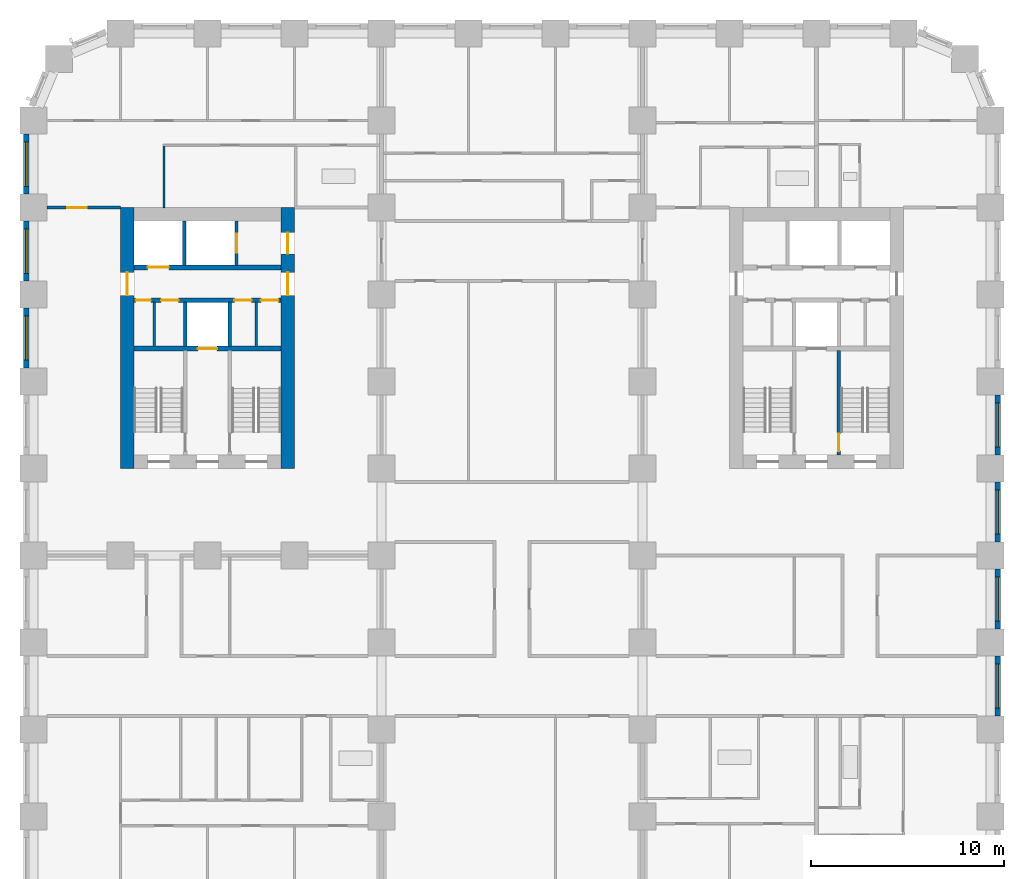
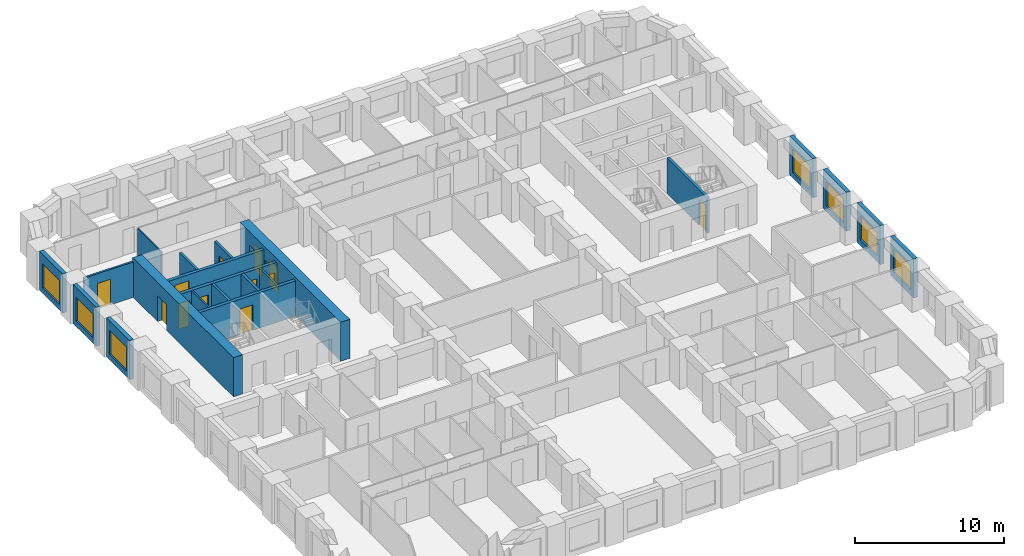
# One storey, part 6 of 13: 21 walls, 12 doors, 7 windows, 19 openings.
"""IFC4 building model written with IfcOpenShell, lengths in metres."""

from ifc_helpers import new_model, si_unit, direction, frame, frame_2d, origin, place, context, subcontext, project, spatial, rectangle, extrude, material, layer, layer_set, type_object, element, fill, save


model = new_model("IFC4")

# Units and contexts
model_context = context("Model", 3, precision=1e-05, world=origin(), true_north=direction((0.0, 1.0)))
body_context = subcontext(model_context, "Body", "Model", "MODEL_VIEW")
ifc_project = project(units=[si_unit("LENGTHUNIT", "METRE"), si_unit("AREAUNIT", "SQUARE_METRE"), si_unit("VOLUMEUNIT", "CUBIC_METRE"), si_unit("PLANEANGLEUNIT", "RADIAN"), si_unit("MASSUNIT", "GRAM", prefix="KILO")], contexts=[model_context])

# Site, building, storey
site_placement = place(None, origin())
site = spatial("IfcSite", under=ifc_project, at=site_placement, CompositionType="ELEMENT")
building_placement = place(site_placement, origin())
building = spatial("IfcBuilding", under=site, at=building_placement, Name="Girih Gate Residences", CompositionType="ELEMENT")
storey_placement = place(building_placement, frame((0.0, 0.0, 40.0)))
storey = spatial("IfcBuildingStorey", under=building, at=storey_placement, Name="L09", CompositionType="ELEMENT", Elevation=40.0)

# Wall, opening, door
ifc_material_1 = material(Name="Gypsum board on steel studs", Category="steel")
ifc_layer_1 = layer(ifc_material_1, 0.14990234375)
ifc_layer_set_1 = layer_set([ifc_layer_1], Name="Compartment wall 150 mm")
wall_type_1 = type_object("IfcWallType", Name="Compartment wall 150 mm", PredefinedType="PARTITIONING", material=ifc_layer_set_1)
wall_1_placement = place(storey_placement, frame((0.699951171875, 40.5, 0.0), z_axis=(0.0, 0.0, 1.0), x_axis=(1.0, 0.0, 0.0)))
wall_1 = element("IfcWall", 1, at=wall_1_placement, inside=storey, type_object=wall_type_1, Name="L09 partition", PredefinedType="PARTITIONING", context=body_context, shape_type="SweptSolid", body=[
    extrude(rectangle(XDim=3.800048828125, YDim=0.14990234375, at=frame_2d((1.89990234375, 0.0))), origin(), (0.0, 0.0, 1.0), 2.89990234375),
])
opening_1_placement = place(wall_1_placement, frame((1.050048828125, 0.0, 0.0)))
opening_1 = element("IfcOpeningElement", 2, at=opening_1_placement, cuts=wall_1, Name="Opening A09-017", PredefinedType="OPENING", context=body_context, shape_type="SweptSolid", body=[
    extrude(rectangle(XDim=1.0, YDim=2.10009765625, at=frame_2d((0.5, 1.050048828125))), frame((0.0, 0.0849609375, 0.0), z_axis=(0.0, -1.0, 0.0), x_axis=(1.0, 0.0, 0.0)), (0.0, 0.0, 1.0), 0.169921875),
])
ifc_material_2 = material(Name="Timber, fire-rated core", Category="wood")
door_type_1 = type_object("IfcDoorType", Name="Flat entrance door 1000x2100 FD30S", OperationType="NOTDEFINED", PredefinedType="DOOR", material=ifc_material_2)
door_1_placement = place(opening_1_placement, origin())
door_1 = element("IfcDoor", 3, at=door_1_placement, inside=storey, type_object=door_type_1, Name="Door A09-017", OperationType="SINGLE_SWING_LEFT", OverallHeight=2.10009765625, OverallWidth=1.0, PredefinedType="DOOR", context=body_context, shape_type="SweptSolid", body=[
    extrude(rectangle(XDim=1.0, YDim=2.10009765625, at=frame_2d((0.5, 1.050048828125))), frame((0.0, 0.02490234375, 0.0), z_axis=(0.0, -1.0, 0.0), x_axis=(1.0, 0.0, 0.0)), (0.0, 0.0, 1.0), 0.050048828125),
])
fill(opening_1, door_1)

ifc_material_3 = material(Name="Concrete C60/75", Category="concrete")
ifc_layer_2 = layer(ifc_material_3, 0.699951171875)
ifc_layer_set_2 = layer_set([ifc_layer_2], Name="Core wall RC 700 Concrete C60/75")
wall_type_2 = type_object("IfcWallType", Name="Core wall RC 700 Concrete C60/75", PredefinedType="SOLIDWALL", material=ifc_layer_set_2)
wall_2_placement = place(storey_placement, frame((4.85009765625, 27.0, 0.0), z_axis=(0.0, 0.0, 1.0), x_axis=(0.0, 1.0, 0.0)))
wall_2 = element("IfcWall", 4, at=wall_2_placement, inside=storey, type_object=wall_type_2, Name="Core wall W-W L09", PredefinedType="SOLIDWALL", context=body_context, shape_type="SweptSolid", body=[
    extrude(rectangle(XDim=13.5, YDim=0.699951171875, at=frame_2d((6.75, 0.0))), origin(), (0.0, 0.0, 1.0), 3.199951171875),
])
opening_2_placement = place(wall_2_placement, frame((8.949951171875, 0.0, 0.0)))
opening_2 = element("IfcOpeningElement", 5, at=opening_2_placement, cuts=wall_2, Name="Opening D-L09-W-014", PredefinedType="OPENING", context=body_context, shape_type="SweptSolid", body=[
    extrude(rectangle(XDim=1.199951171875, YDim=2.10009765625, at=frame_2d((0.60009765625, 1.050048828125))), frame((0.0, 0.35986328125, 0.0), z_axis=(0.0, -1.0, 0.0), x_axis=(1.0, 0.0, 0.0)), (0.0, 0.0, 1.0), 0.719970703125),
])
ifc_material_4 = material(Name="Painted steel, fire-resisting", Category="steel")
door_type_2 = type_object("IfcDoorType", Name="Fire door 1200x2100", OperationType="SINGLE_SWING_LEFT", PredefinedType="DOOR", material=ifc_material_4)
door_2_placement = place(opening_2_placement, origin())
door_2 = element("IfcDoor", 6, at=door_2_placement, inside=storey, type_object=door_type_2, Name="L09 W core door ll-w", OperationType="SINGLE_SWING_LEFT", OverallHeight=2.10009765625, OverallWidth=1.199951171875, PredefinedType="DOOR", context=body_context, shape_type="SweptSolid", body=[
    extrude(rectangle(XDim=1.199951171875, YDim=2.10009765625, at=frame_2d((0.60009765625, 1.050048828125))), frame((0.0, 0.02490234375, 0.0), z_axis=(0.0, -1.0, 0.0), x_axis=(1.0, 0.0, 0.0)), (0.0, 0.0, 1.0), 0.050048828125),
])
fill(opening_2, door_2)

# Wall, openings, doors
wall_3_placement = place(storey_placement, frame((13.14990234375, 27.0, 0.0), z_axis=(0.0, 0.0, 1.0), x_axis=(0.0, 1.0, 0.0)))
wall_3 = element("IfcWall", 7, at=wall_3_placement, inside=storey, type_object=wall_type_2, Name="Core wall W-E L09", PredefinedType="SOLIDWALL", context=body_context, shape_type="SweptSolid", body=[
    extrude(rectangle(XDim=13.5, YDim=0.699951171875, at=frame_2d((6.75, 0.0))), origin(), (0.0, 0.0, 1.0), 3.199951171875),
])
opening_3_placement = place(wall_3_placement, frame((11.10009765625, 0.0, 0.0)))
opening_3 = element("IfcOpeningElement", 8, at=opening_3_placement, cuts=wall_3, Name="Opening D-L09-W-013", PredefinedType="OPENING", context=body_context, shape_type="SweptSolid", body=[
    extrude(rectangle(XDim=1.10009765625, YDim=2.10009765625, at=frame_2d((0.550048828125, 1.050048828125))), frame((0.0, 0.35986328125, 0.0), z_axis=(0.0, -1.0, 0.0), x_axis=(1.0, 0.0, 0.0)), (0.0, 0.0, 1.0), 0.719970703125),
])
opening_4_placement = place(wall_3_placement, frame((8.949951171875, 0.0, 0.0)))
opening_4 = element("IfcOpeningElement", 9, at=opening_4_placement, cuts=wall_3, Name="Opening D-L09-W-015", PredefinedType="OPENING", context=body_context, shape_type="SweptSolid", body=[
    extrude(rectangle(XDim=1.199951171875, YDim=2.10009765625, at=frame_2d((0.60009765625, 1.050048828125))), frame((0.0, 0.35986328125, 0.0), z_axis=(0.0, -1.0, 0.0), x_axis=(1.0, 0.0, 0.0)), (0.0, 0.0, 1.0), 0.719970703125),
])
door_type_3 = type_object("IfcDoorType", Name="Fire door 1100x2100", OperationType="SINGLE_SWING_LEFT", PredefinedType="DOOR", material=ifc_material_4)
door_3_placement = place(opening_3_placement, origin())
door_3 = element("IfcDoor", 10, at=door_3_placement, inside=storey, type_object=door_type_3, Name="L09 W core door ffl2-e", OperationType="SINGLE_SWING_LEFT", OverallHeight=2.10009765625, OverallWidth=1.10009765625, PredefinedType="DOOR", context=body_context, shape_type="SweptSolid", body=[
    extrude(rectangle(XDim=1.10009765625, YDim=2.10009765625, at=frame_2d((0.550048828125, 1.050048828125))), frame((0.0, 0.02490234375, 0.0), z_axis=(0.0, -1.0, 0.0), x_axis=(1.0, 0.0, 0.0)), (0.0, 0.0, 1.0), 0.050048828125),
])
fill(opening_3, door_3)
door_4_placement = place(opening_4_placement, origin())
door_4 = element("IfcDoor", 11, at=door_4_placement, inside=storey, type_object=door_type_2, Name="L09 W core door ll-e", OperationType="SINGLE_SWING_LEFT", OverallHeight=2.10009765625, OverallWidth=1.199951171875, PredefinedType="DOOR", context=body_context, shape_type="SweptSolid", body=[
    extrude(rectangle(XDim=1.199951171875, YDim=2.10009765625, at=frame_2d((0.60009765625, 1.050048828125))), frame((0.0, 0.02490234375, 0.0), z_axis=(0.0, -1.0, 0.0), x_axis=(1.0, 0.0, 0.0)), (0.0, 0.0, 1.0), 0.050048828125),
])
fill(opening_4, door_4)

# Wall, opening, door
ifc_material_5 = material(Name="Concrete C40/50", Category="concrete")
ifc_layer_3 = layer(ifc_material_5, 0.25)
ifc_layer_set_3 = layer_set([ifc_layer_3], Name="Lift shaft wall 250")
wall_type_3 = type_object("IfcWallType", Name="Lift shaft wall 250", PredefinedType="SOLIDWALL", material=ifc_layer_set_3)
wall_4_placement = place(storey_placement, frame((5.199951171875, 33.199951171875, 0.0), z_axis=(0.0, 0.0, 1.0), x_axis=(1.0, 0.0, 0.0)))
wall_4 = element("IfcWall", 12, at=wall_4_placement, inside=storey, type_object=wall_type_3, Name="L09 W core wall H1", PredefinedType="SOLIDWALL", context=body_context, shape_type="SweptSolid", body=[
    extrude(rectangle(XDim=7.60009765625, YDim=0.25, at=frame_2d((3.800048828125, 0.0))), origin(), (0.0, 0.0, 1.0), 2.89990234375),
])
opening_5_placement = place(wall_4_placement, frame((3.300048828125, 0.0, 0.0)))
opening_5 = element("IfcOpeningElement", 13, at=opening_5_placement, cuts=wall_4, Name="Opening D-L09-W-005", PredefinedType="OPENING", context=body_context, shape_type="SweptSolid", body=[
    extrude(rectangle(XDim=1.0, YDim=2.10009765625, at=frame_2d((0.5, 1.050048828125))), frame((0.0, 0.135009765625, 0.0), z_axis=(0.0, -1.0, 0.0), x_axis=(1.0, 0.0, 0.0)), (0.0, 0.0, 1.0), 0.27001953125),
])
ifc_material_6 = material(Name="Stainless steel, fire-resisting", Category="steel")
door_type_4 = type_object("IfcDoorType", Name="Firefighting lift landing door 1000x2100", OperationType="SLIDING_TO_LEFT", PredefinedType="DOOR", material=ifc_material_6)
door_5_placement = place(opening_5_placement, origin())
door_5 = element("IfcDoor", 14, at=door_5_placement, inside=storey, type_object=door_type_4, Name="L09 lift FF-W landing door", OperationType="SLIDING_TO_LEFT", OverallHeight=2.10009765625, OverallWidth=1.0, PredefinedType="DOOR", context=body_context, shape_type="SweptSolid", body=[
    extrude(rectangle(XDim=1.0, YDim=2.10009765625, at=frame_2d((0.5, 1.050048828125))), frame((0.0, 0.02490234375, 0.0), z_axis=(0.0, -1.0, 0.0), x_axis=(1.0, 0.0, 0.0)), (0.0, 0.0, 1.0), 0.050048828125),
])
fill(opening_5, door_5)

# Wall, openings, doors
wall_5_placement = place(storey_placement, frame((5.199951171875, 35.699951171875, 0.0), z_axis=(0.0, 0.0, 1.0), x_axis=(1.0, 0.0, 0.0)))
wall_5 = element("IfcWall", 15, at=wall_5_placement, inside=storey, type_object=wall_type_3, Name="L09 W core wall H2", PredefinedType="SOLIDWALL", context=body_context, shape_type="SweptSolid", body=[
    extrude(rectangle(XDim=7.60009765625, YDim=0.25, at=frame_2d((3.800048828125, 0.0))), origin(), (0.0, 0.0, 1.0), 2.89990234375),
])
opening_6_placement = place(wall_5_placement, frame((0.074951171875, 0.0, 0.0)))
opening_6 = element("IfcOpeningElement", 16, at=opening_6_placement, cuts=wall_5, Name="Opening D-L09-W-006", PredefinedType="OPENING", context=body_context, shape_type="SweptSolid", body=[
    extrude(rectangle(XDim=0.800048828125, YDim=2.10009765625, at=frame_2d((0.39990234375, 1.050048828125))), frame((0.0, 0.135009765625, 0.0), z_axis=(0.0, -1.0, 0.0), x_axis=(1.0, 0.0, 0.0)), (0.0, 0.0, 1.0), 0.27001953125),
])
opening_7_placement = place(wall_5_placement, frame((1.39990234375, 0.0, 0.0)))
opening_7 = element("IfcOpeningElement", 17, at=opening_7_placement, cuts=wall_5, Name="Opening D-L09-W-007", PredefinedType="OPENING", context=body_context, shape_type="SweptSolid", body=[
    extrude(rectangle(XDim=0.89990234375, YDim=2.10009765625, at=frame_2d((0.449951171875, 1.050048828125))), frame((0.0, 0.135009765625, 0.0), z_axis=(0.0, -1.0, 0.0), x_axis=(1.0, 0.0, 0.0)), (0.0, 0.0, 1.0), 0.27001953125),
])
opening_8_placement = place(wall_5_placement, frame((5.1875, 0.0, 0.0)))
opening_8 = element("IfcOpeningElement", 18, at=opening_8_placement, cuts=wall_5, Name="Opening D-L09-W-008", PredefinedType="OPENING", context=body_context, shape_type="SweptSolid", body=[
    extrude(rectangle(XDim=0.89990234375, YDim=2.10009765625, at=frame_2d((0.449951171875, 1.050048828125))), frame((0.0, 0.135009765625, 0.0), z_axis=(0.0, -1.0, 0.0), x_axis=(1.0, 0.0, 0.0)), (0.0, 0.0, 1.0), 0.27001953125),
])
opening_9_placement = place(wall_5_placement, frame((6.5625, 0.0, 0.0)))
opening_9 = element("IfcOpeningElement", 19, at=opening_9_placement, cuts=wall_5, Name="Opening D-L09-W-009", PredefinedType="OPENING", context=body_context, shape_type="SweptSolid", body=[
    extrude(rectangle(XDim=0.89990234375, YDim=2.10009765625, at=frame_2d((0.449951171875, 1.050048828125))), frame((0.0, 0.135009765625, 0.0), z_axis=(0.0, -1.0, 0.0), x_axis=(1.0, 0.0, 0.0)), (0.0, 0.0, 1.0), 0.27001953125),
])
door_type_5 = type_object("IfcDoorType", Name="Fire door 800x2100", OperationType="SINGLE_SWING_LEFT", PredefinedType="DOOR", material=ifc_material_4)
door_6_placement = place(opening_6_placement, origin())
door_6 = element("IfcDoor", 20, at=door_6_placement, inside=storey, type_object=door_type_5, Name="L09 W refuse store door", OperationType="SINGLE_SWING_LEFT", OverallHeight=2.10009765625, OverallWidth=0.800048828125, PredefinedType="DOOR", context=body_context, shape_type="SweptSolid", body=[
    extrude(rectangle(XDim=0.800048828125, YDim=2.10009765625, at=frame_2d((0.39990234375, 1.050048828125))), frame((0.0, 0.02490234375, 0.0), z_axis=(0.0, -1.0, 0.0), x_axis=(1.0, 0.0, 0.0)), (0.0, 0.0, 1.0), 0.050048828125),
])
fill(opening_6, door_6)
door_type_6 = type_object("IfcDoorType", Name="Fire door 900x2100", OperationType="SINGLE_SWING_LEFT", PredefinedType="DOOR", material=ifc_material_4)
door_7_placement = place(opening_7_placement, origin())
door_7 = element("IfcDoor", 21, at=door_7_placement, inside=storey, type_object=door_type_6, Name="L09 W cleaners store door", OperationType="SINGLE_SWING_LEFT", OverallHeight=2.10009765625, OverallWidth=0.89990234375, PredefinedType="DOOR", context=body_context, shape_type="SweptSolid", body=[
    extrude(rectangle(XDim=0.89990234375, YDim=2.10009765625, at=frame_2d((0.449951171875, 1.050048828125))), frame((0.0, 0.02490234375, 0.0), z_axis=(0.0, -1.0, 0.0), x_axis=(1.0, 0.0, 0.0)), (0.0, 0.0, 1.0), 0.050048828125),
])
fill(opening_7, door_7)
door_8_placement = place(opening_8_placement, origin())
door_8 = element("IfcDoor", 22, at=door_8_placement, inside=storey, type_object=door_type_6, Name="L09 W maintenance store door", OperationType="SINGLE_SWING_LEFT", OverallHeight=2.10009765625, OverallWidth=0.89990234375, PredefinedType="DOOR", context=body_context, shape_type="SweptSolid", body=[
    extrude(rectangle(XDim=0.89990234375, YDim=2.10009765625, at=frame_2d((0.449951171875, 1.050048828125))), frame((0.0, 0.02490234375, 0.0), z_axis=(0.0, -1.0, 0.0), x_axis=(1.0, 0.0, 0.0)), (0.0, 0.0, 1.0), 0.050048828125),
])
fill(opening_8, door_8)
door_9_placement = place(opening_9_placement, origin())
door_9 = element("IfcDoor", 23, at=door_9_placement, inside=storey, type_object=door_type_6, Name="L09 W electrical room door", OperationType="SINGLE_SWING_LEFT", OverallHeight=2.10009765625, OverallWidth=0.89990234375, PredefinedType="DOOR", context=body_context, shape_type="SweptSolid", body=[
    extrude(rectangle(XDim=0.89990234375, YDim=2.10009765625, at=frame_2d((0.449951171875, 1.050048828125))), frame((0.0, 0.02490234375, 0.0), z_axis=(0.0, -1.0, 0.0), x_axis=(1.0, 0.0, 0.0)), (0.0, 0.0, 1.0), 0.050048828125),
])
fill(opening_9, door_9)

# Wall, opening, door
wall_6_placement = place(storey_placement, frame((5.199951171875, 37.39990234375, 0.0), z_axis=(0.0, 0.0, 1.0), x_axis=(1.0, 0.0, 0.0)))
wall_6 = element("IfcWall", 24, at=wall_6_placement, inside=storey, type_object=wall_type_3, Name="L09 W core wall H3", PredefinedType="SOLIDWALL", context=body_context, shape_type="SweptSolid", body=[
    extrude(rectangle(XDim=7.60009765625, YDim=0.25, at=frame_2d((3.800048828125, 0.0))), origin(), (0.0, 0.0, 1.0), 2.89990234375),
])
opening_10_placement = place(wall_6_placement, frame((0.699951171875, 0.0, 0.0)))
opening_10 = element("IfcOpeningElement", 25, at=opening_10_placement, cuts=wall_6, Name="Opening D-L09-W-003", PredefinedType="OPENING", context=body_context, shape_type="SweptSolid", body=[
    extrude(rectangle(XDim=1.10009765625, YDim=2.39990234375, at=frame_2d((0.550048828125, 1.199951171875))), frame((0.0, 0.135009765625, 0.0), z_axis=(0.0, -1.0, 0.0), x_axis=(1.0, 0.0, 0.0)), (0.0, 0.0, 1.0), 0.27001953125),
])
ifc_material_7 = material(Name="Stainless steel", Category="steel")
door_type_7 = type_object("IfcDoorType", Name="Lift landing door 1100x2400", OperationType="SLIDING_TO_LEFT", PredefinedType="DOOR", material=ifc_material_7)
door_10_placement = place(opening_10_placement, origin())
door_10 = element("IfcDoor", 26, at=door_10_placement, inside=storey, type_object=door_type_7, Name="L09 lift LR-W1 landing door", OperationType="SLIDING_TO_LEFT", OverallHeight=2.39990234375, OverallWidth=1.10009765625, PredefinedType="DOOR", context=body_context, shape_type="SweptSolid", body=[
    extrude(rectangle(XDim=1.10009765625, YDim=2.39990234375, at=frame_2d((0.550048828125, 1.199951171875))), frame((0.0, 0.02490234375, 0.0), z_axis=(0.0, -1.0, 0.0), x_axis=(1.0, 0.0, 0.0)), (0.0, 0.0, 1.0), 0.050048828125),
])
fill(opening_10, door_10)

# Wall
ifc_layer_4 = layer(ifc_material_1, 0.10009765625)
ifc_layer_set_4 = layer_set([ifc_layer_4], Name="Partition 100 mm")
wall_type_4 = type_object("IfcWallType", Name="Partition 100 mm", PredefinedType="PARTITIONING", material=ifc_layer_set_4)
wall_7_placement = place(storey_placement, frame((6.75, 40.5, 0.0), z_axis=(0.0, 0.0, 1.0), x_axis=(0.0, 1.0, 0.0)))
element("IfcWall", 27, at=wall_7_placement, inside=storey, type_object=wall_type_4, Name="L09 partition", PredefinedType="PARTITIONING", context=body_context, shape_type="SweptSolid", body=[
    extrude(rectangle(XDim=3.169921875, YDim=0.10009765625, at=frame_2d((1.5849609375, 0.0))), origin(), (0.0, 0.0, 1.0), 2.89990234375),
])

# Wall, opening, window
ifc_material_8 = material(Name="Precast concrete C50/60", Category="concrete")
ifc_layer_5 = layer(ifc_material_8, 0.080078125, Name="Outer leaf")
ifc_material_9 = material(Name="Rigid PIR insulation")
ifc_layer_6 = layer(ifc_material_9, 0.14990234375, Name="Insulation")
ifc_material_10 = material(Name="Precast concrete C40/50", Category="concrete")
ifc_layer_7 = layer(ifc_material_10, 0.070068359375, Name="Inner leaf")
ifc_layer_set_5 = layer_set([ifc_layer_5, ifc_layer_6, ifc_layer_7], Name="Precast concrete C50/60 external wall 300")
wall_type_5 = type_object("IfcWallType", Name="Precast concrete C50/60 external wall 300", PredefinedType="SOLIDWALL", material=ifc_layer_set_5)
wall_8_placement = place(storey_placement, frame((49.875, 17.300048828125, 0.0), z_axis=(0.0, 0.0, 1.0), x_axis=(0.0, -1.0, 0.0)))
wall_8 = element("IfcWall", 28, at=wall_8_placement, inside=storey, type_object=wall_type_5, Name="External wall E0495_0045.2", PredefinedType="SOLIDWALL", context=body_context, shape_type="SweptSolid", body=[
    extrude(rectangle(XDim=3.10009765625, YDim=0.300048828125, at=frame_2d((1.550048828125, 0.0))), origin(), (0.0, 0.0, 1.0), 3.199951171875),
])
opening_11_placement = place(wall_8_placement, frame((0.39990234375, 0.0, 0.449951171875)))
opening_11 = element("IfcOpeningElement", 29, at=opening_11_placement, cuts=wall_8, Name="Opening W-1", PredefinedType="OPENING", context=body_context, shape_type="SweptSolid", body=[
    extrude(rectangle(XDim=2.300048828125, YDim=1.949951171875, at=frame_2d((1.14990234375, 0.97509765625))), frame((0.0, 0.159912109375, 0.0), z_axis=(0.0, -1.0, 0.0), x_axis=(1.0, 0.0, 0.0)), (0.0, 0.0, 1.0), 0.320068359375),
])
ifc_material_11 = material(Name="Double glazing in aluminium frame", Category="aluminium")
window_type = type_object("IfcWindowType", Name="Window W-1 2300x1950", PartitioningType="SINGLE_PANEL", PredefinedType="WINDOW", material=ifc_material_11)
window_1_placement = place(opening_11_placement, origin())
window_1 = element("IfcWindow", 30, at=window_1_placement, inside=storey, type_object=window_type, Name="Window W-1 E0495_0045.2", OverallHeight=1.949951171875, OverallWidth=2.300048828125, PartitioningType="SINGLE_PANEL", PredefinedType="WINDOW", context=body_context, shape_type="SweptSolid", body=[
    extrude(rectangle(XDim=2.300048828125, YDim=1.949951171875, at=frame_2d((1.14990234375, 0.97509765625))), frame((0.0, 0.030029296875, 0.0), z_axis=(0.0, -1.0, 0.0), x_axis=(1.0, 0.0, 0.0)), (0.0, 0.0, 1.0), 0.06005859375),
])
fill(opening_11, window_1)

wall_9_placement = place(storey_placement, frame((49.875, 21.800048828125, 0.0), z_axis=(0.0, 0.0, 1.0), x_axis=(0.0, -1.0, 0.0)))
wall_9 = element("IfcWall", 31, at=wall_9_placement, inside=storey, type_object=wall_type_5, Name="External wall E0495_0045.3", PredefinedType="SOLIDWALL", context=body_context, shape_type="SweptSolid", body=[
    extrude(rectangle(XDim=3.10009765625, YDim=0.300048828125, at=frame_2d((1.550048828125, 0.0))), origin(), (0.0, 0.0, 1.0), 3.199951171875),
])
opening_12_placement = place(wall_9_placement, frame((0.39990234375, 0.0, 0.449951171875)))
opening_12 = element("IfcOpeningElement", 32, at=opening_12_placement, cuts=wall_9, Name="Opening W-1", PredefinedType="OPENING", context=body_context, shape_type="SweptSolid", body=[
    extrude(rectangle(XDim=2.300048828125, YDim=1.949951171875, at=frame_2d((1.14990234375, 0.97509765625))), frame((0.0, 0.159912109375, 0.0), z_axis=(0.0, -1.0, 0.0), x_axis=(1.0, 0.0, 0.0)), (0.0, 0.0, 1.0), 0.320068359375),
])
window_2_placement = place(opening_12_placement, origin())
window_2 = element("IfcWindow", 33, at=window_2_placement, inside=storey, type_object=window_type, Name="Window W-1 E0495_0045.3", OverallHeight=1.949951171875, OverallWidth=2.300048828125, PartitioningType="SINGLE_PANEL", PredefinedType="WINDOW", context=body_context, shape_type="SweptSolid", body=[
    extrude(rectangle(XDim=2.300048828125, YDim=1.949951171875, at=frame_2d((1.14990234375, 0.97509765625))), frame((0.0, 0.030029296875, 0.0), z_axis=(0.0, -1.0, 0.0), x_axis=(1.0, 0.0, 0.0)), (0.0, 0.0, 1.0), 0.06005859375),
])
fill(opening_12, window_2)

wall_10_placement = place(storey_placement, frame((49.875, 26.300048828125, 0.0), z_axis=(0.0, 0.0, 1.0), x_axis=(0.0, -1.0, 0.0)))
wall_10 = element("IfcWall", 34, at=wall_10_placement, inside=storey, type_object=wall_type_5, Name="External wall E0495_0045.4", PredefinedType="SOLIDWALL", context=body_context, shape_type="SweptSolid", body=[
    extrude(rectangle(XDim=3.10009765625, YDim=0.300048828125, at=frame_2d((1.550048828125, 0.0))), origin(), (0.0, 0.0, 1.0), 3.199951171875),
])
opening_13_placement = place(wall_10_placement, frame((0.39990234375, 0.0, 0.449951171875)))
opening_13 = element("IfcOpeningElement", 35, at=opening_13_placement, cuts=wall_10, Name="Opening W-1", PredefinedType="OPENING", context=body_context, shape_type="SweptSolid", body=[
    extrude(rectangle(XDim=2.300048828125, YDim=1.949951171875, at=frame_2d((1.14990234375, 0.97509765625))), frame((0.0, 0.159912109375, 0.0), z_axis=(0.0, -1.0, 0.0), x_axis=(1.0, 0.0, 0.0)), (0.0, 0.0, 1.0), 0.320068359375),
])
window_3_placement = place(opening_13_placement, origin())
window_3 = element("IfcWindow", 36, at=window_3_placement, inside=storey, type_object=window_type, Name="Window W-1 E0495_0045.4", OverallHeight=1.949951171875, OverallWidth=2.300048828125, PartitioningType="SINGLE_PANEL", PredefinedType="WINDOW", context=body_context, shape_type="SweptSolid", body=[
    extrude(rectangle(XDim=2.300048828125, YDim=1.949951171875, at=frame_2d((1.14990234375, 0.97509765625))), frame((0.0, 0.030029296875, 0.0), z_axis=(0.0, -1.0, 0.0), x_axis=(1.0, 0.0, 0.0)), (0.0, 0.0, 1.0), 0.06005859375),
])
fill(opening_13, window_3)

wall_11_placement = place(storey_placement, frame((49.875, 30.800048828125, 0.0), z_axis=(0.0, 0.0, 1.0), x_axis=(0.0, -1.0, 0.0)))
wall_11 = element("IfcWall", 37, at=wall_11_placement, inside=storey, type_object=wall_type_5, Name="External wall E0495_0045.5", PredefinedType="SOLIDWALL", context=body_context, shape_type="SweptSolid", body=[
    extrude(rectangle(XDim=3.10009765625, YDim=0.300048828125, at=frame_2d((1.550048828125, 0.0))), origin(), (0.0, 0.0, 1.0), 3.199951171875),
])
opening_14_placement = place(wall_11_placement, frame((0.39990234375, 0.0, 0.449951171875)))
opening_14 = element("IfcOpeningElement", 38, at=opening_14_placement, cuts=wall_11, Name="Opening W-1", PredefinedType="OPENING", context=body_context, shape_type="SweptSolid", body=[
    extrude(rectangle(XDim=2.300048828125, YDim=1.949951171875, at=frame_2d((1.14990234375, 0.97509765625))), frame((0.0, 0.159912109375, 0.0), z_axis=(0.0, -1.0, 0.0), x_axis=(1.0, 0.0, 0.0)), (0.0, 0.0, 1.0), 0.320068359375),
])
window_4_placement = place(opening_14_placement, origin())
window_4 = element("IfcWindow", 39, at=window_4_placement, inside=storey, type_object=window_type, Name="Window W-1 E0495_0045.5", OverallHeight=1.949951171875, OverallWidth=2.300048828125, PartitioningType="SINGLE_PANEL", PredefinedType="WINDOW", context=body_context, shape_type="SweptSolid", body=[
    extrude(rectangle(XDim=2.300048828125, YDim=1.949951171875, at=frame_2d((1.14990234375, 0.97509765625))), frame((0.0, 0.030029296875, 0.0), z_axis=(0.0, -1.0, 0.0), x_axis=(1.0, 0.0, 0.0)), (0.0, 0.0, 1.0), 0.06005859375),
])
fill(opening_14, window_4)

wall_12_placement = place(storey_placement, frame((-0.375, 41.199951171875, 0.0), z_axis=(0.0, 0.0, 1.0), x_axis=(0.0, 1.0, 0.0)))
wall_12 = element("IfcWall", 40, at=wall_12_placement, inside=storey, type_object=wall_type_5, Name="External wall W0000_0450.0", PredefinedType="SOLIDWALL", context=body_context, shape_type="SweptSolid", body=[
    extrude(rectangle(XDim=3.10009765625, YDim=0.300048828125, at=frame_2d((1.550048828125, 0.0))), origin(), (0.0, 0.0, 1.0), 3.199951171875),
])
opening_15_placement = place(wall_12_placement, frame((0.39990234375, 0.0, 0.449951171875)))
opening_15 = element("IfcOpeningElement", 41, at=opening_15_placement, cuts=wall_12, Name="Opening W-1", PredefinedType="OPENING", context=body_context, shape_type="SweptSolid", body=[
    extrude(rectangle(XDim=2.300048828125, YDim=1.949951171875, at=frame_2d((1.14990234375, 0.97509765625))), frame((0.0, 0.159912109375, 0.0), z_axis=(0.0, -1.0, 0.0), x_axis=(1.0, 0.0, 0.0)), (0.0, 0.0, 1.0), 0.320068359375),
])
window_5_placement = place(opening_15_placement, origin())
window_5 = element("IfcWindow", 42, at=window_5_placement, inside=storey, type_object=window_type, Name="Window W-1 W0000_0450.0", OverallHeight=1.949951171875, OverallWidth=2.300048828125, PartitioningType="SINGLE_PANEL", PredefinedType="WINDOW", context=body_context, shape_type="SweptSolid", body=[
    extrude(rectangle(XDim=2.300048828125, YDim=1.949951171875, at=frame_2d((1.14990234375, 0.97509765625))), frame((0.0, 0.030029296875, 0.0), z_axis=(0.0, -1.0, 0.0), x_axis=(1.0, 0.0, 0.0)), (0.0, 0.0, 1.0), 0.06005859375),
])
fill(opening_15, window_5)

wall_13_placement = place(storey_placement, frame((-0.375, 36.699951171875, 0.0), z_axis=(0.0, 0.0, 1.0), x_axis=(0.0, 1.0, 0.0)))
wall_13 = element("IfcWall", 43, at=wall_13_placement, inside=storey, type_object=wall_type_5, Name="External wall W0000_0450.1", PredefinedType="SOLIDWALL", context=body_context, shape_type="SweptSolid", body=[
    extrude(rectangle(XDim=3.10009765625, YDim=0.300048828125, at=frame_2d((1.550048828125, 0.0))), origin(), (0.0, 0.0, 1.0), 3.199951171875),
])
opening_16_placement = place(wall_13_placement, frame((0.39990234375, 0.0, 0.449951171875)))
opening_16 = element("IfcOpeningElement", 44, at=opening_16_placement, cuts=wall_13, Name="Opening W-1", PredefinedType="OPENING", context=body_context, shape_type="SweptSolid", body=[
    extrude(rectangle(XDim=2.300048828125, YDim=1.949951171875, at=frame_2d((1.14990234375, 0.97509765625))), frame((0.0, 0.159912109375, 0.0), z_axis=(0.0, -1.0, 0.0), x_axis=(1.0, 0.0, 0.0)), (0.0, 0.0, 1.0), 0.320068359375),
])
window_6_placement = place(opening_16_placement, origin())
window_6 = element("IfcWindow", 45, at=window_6_placement, inside=storey, type_object=window_type, Name="Window W-1 W0000_0450.1", OverallHeight=1.949951171875, OverallWidth=2.300048828125, PartitioningType="SINGLE_PANEL", PredefinedType="WINDOW", context=body_context, shape_type="SweptSolid", body=[
    extrude(rectangle(XDim=2.300048828125, YDim=1.949951171875, at=frame_2d((1.14990234375, 0.97509765625))), frame((0.0, 0.030029296875, 0.0), z_axis=(0.0, -1.0, 0.0), x_axis=(1.0, 0.0, 0.0)), (0.0, 0.0, 1.0), 0.06005859375),
])
fill(opening_16, window_6)

wall_14_placement = place(storey_placement, frame((-0.375, 32.199951171875, 0.0), z_axis=(0.0, 0.0, 1.0), x_axis=(0.0, 1.0, 0.0)))
wall_14 = element("IfcWall", 46, at=wall_14_placement, inside=storey, type_object=wall_type_5, Name="External wall W0000_0450.2", PredefinedType="SOLIDWALL", context=body_context, shape_type="SweptSolid", body=[
    extrude(rectangle(XDim=3.10009765625, YDim=0.300048828125, at=frame_2d((1.550048828125, 0.0))), origin(), (0.0, 0.0, 1.0), 3.199951171875),
])
opening_17_placement = place(wall_14_placement, frame((0.39990234375, 0.0, 0.449951171875)))
opening_17 = element("IfcOpeningElement", 47, at=opening_17_placement, cuts=wall_14, Name="Opening W-1", PredefinedType="OPENING", context=body_context, shape_type="SweptSolid", body=[
    extrude(rectangle(XDim=2.300048828125, YDim=1.949951171875, at=frame_2d((1.14990234375, 0.97509765625))), frame((0.0, 0.159912109375, 0.0), z_axis=(0.0, -1.0, 0.0), x_axis=(1.0, 0.0, 0.0)), (0.0, 0.0, 1.0), 0.320068359375),
])
window_7_placement = place(opening_17_placement, origin())
window_7 = element("IfcWindow", 48, at=window_7_placement, inside=storey, type_object=window_type, Name="Window W-1 W0000_0450.2", OverallHeight=1.949951171875, OverallWidth=2.300048828125, PartitioningType="SINGLE_PANEL", PredefinedType="WINDOW", context=body_context, shape_type="SweptSolid", body=[
    extrude(rectangle(XDim=2.300048828125, YDim=1.949951171875, at=frame_2d((1.14990234375, 0.97509765625))), frame((0.0, 0.030029296875, 0.0), z_axis=(0.0, -1.0, 0.0), x_axis=(1.0, 0.0, 0.0)), (0.0, 0.0, 1.0), 0.06005859375),
])
fill(opening_17, window_7)

# Wall
ifc_layer_8 = layer(ifc_material_5, 0.175048828125)
ifc_layer_set_6 = layer_set([ifc_layer_8], Name="Riser shaft wall 175")
wall_type_6 = type_object("IfcWallType", Name="Riser shaft wall 175", PredefinedType="SOLIDWALL", material=ifc_layer_set_6)
wall_15_placement = place(storey_placement, frame((7.800048828125, 37.5, 0.0), z_axis=(0.0, 0.0, 1.0), x_axis=(0.0, 1.0, 0.0)))
element("IfcWall", 49, at=wall_15_placement, inside=storey, type_object=wall_type_6, Name="L09 W core wall V1c", PredefinedType="SOLIDWALL", context=body_context, shape_type="SweptSolid", body=[
    extrude(rectangle(XDim=2.300048828125, YDim=0.175048828125, at=frame_2d((1.14990234375, 0.0))), origin(), (0.0, 0.0, 1.0), 2.89990234375),
])

# Wall, opening, door
wall_16_placement = place(storey_placement, frame((10.5, 37.5, 0.0), z_axis=(0.0, 0.0, 1.0), x_axis=(0.0, 1.0, 0.0)))
wall_16 = element("IfcWall", 50, at=wall_16_placement, inside=storey, type_object=wall_type_6, Name="L09 W core wall V2c", PredefinedType="SOLIDWALL", context=body_context, shape_type="SweptSolid", body=[
    extrude(rectangle(XDim=2.300048828125, YDim=0.175048828125, at=frame_2d((1.14990234375, 0.0))), origin(), (0.0, 0.0, 1.0), 2.89990234375),
])
opening_18_placement = place(wall_16_placement, frame((0.64990234375, 0.0, 0.0)))
opening_18 = element("IfcOpeningElement", 51, at=opening_18_placement, cuts=wall_16, Name="Opening D-L09-W-004", PredefinedType="OPENING", context=body_context, shape_type="SweptSolid", body=[
    extrude(rectangle(XDim=1.0, YDim=2.10009765625, at=frame_2d((0.5, 1.050048828125))), frame((0.0, 0.097412109375, 0.0), z_axis=(0.0, -1.0, 0.0), x_axis=(1.0, 0.0, 0.0)), (0.0, 0.0, 1.0), 0.195068359375),
])
door_11_placement = place(opening_18_placement, origin())
door_11 = element("IfcDoor", 52, at=door_11_placement, inside=storey, type_object=door_type_4, Name="L09 lift FF-W2 landing door", OperationType="SLIDING_TO_LEFT", OverallHeight=2.10009765625, OverallWidth=1.0, PredefinedType="DOOR", context=body_context, shape_type="SweptSolid", body=[
    extrude(rectangle(XDim=1.0, YDim=2.10009765625, at=frame_2d((0.5, 1.050048828125))), frame((0.0, 0.02490234375, 0.0), z_axis=(0.0, -1.0, 0.0), x_axis=(1.0, 0.0, 0.0)), (0.0, 0.0, 1.0), 0.050048828125),
])
fill(opening_18, door_11)

# Walls
ifc_layer_9 = layer(ifc_material_5, 0.199951171875)
ifc_layer_set_7 = layer_set([ifc_layer_9], Name="Shaft wall 200")
wall_type_7 = type_object("IfcWallType", Name="Shaft wall 200", PredefinedType="SOLIDWALL", material=ifc_layer_set_7)
for number, where, z_axis, x_axis, name in (
    (53, (7.85009765625, 33.300048828125, 0.0), (0.0, 0.0, 1.0), (0.0, 1.0, 0.0), "L09 W core wall V1b"),
    (54, (10.14990234375, 33.300048828125, 0.0), (0.0, 0.0, 1.0), (0.0, 1.0, 0.0), "L09 W core wall V2b"),
):
    element("IfcWall", number, at=place(storey_placement, frame(where, z_axis=z_axis, x_axis=x_axis)), inside=storey, type_object=wall_type_7, Name=name, PredefinedType="SOLIDWALL", context=body_context, shape_type="SweptSolid", body=[
        extrude(rectangle(XDim=2.300048828125, YDim=0.199951171875, at=frame_2d((1.14990234375, 0.0))), origin(), (0.0, 0.0, 1.0), 2.89990234375),
    ])

# Wall, opening, door
wall_17_placement = place(storey_placement, frame((41.64990234375, 27.699951171875, 0.0), z_axis=(0.0, 0.0, 1.0), x_axis=(0.0, 1.0, 0.0)))
wall_17 = element("IfcWall", 55, at=wall_17_placement, inside=storey, type_object=wall_type_7, Name="L09 E core wall V1a", PredefinedType="SOLIDWALL", context=body_context, shape_type="SweptSolid", body=[
    extrude(rectangle(XDim=5.400146484375, YDim=0.199951171875, at=frame_2d((2.7001953125, 0.0))), origin(), (0.0, 0.0, 1.0), 2.89990234375),
])
opening_19_placement = place(wall_17_placement, frame((0.199951171875, 0.0, 0.0)))
opening_19 = element("IfcOpeningElement", 56, at=opening_19_placement, cuts=wall_17, Name="Opening D-L09-E-001", PredefinedType="OPENING", context=body_context, shape_type="SweptSolid", body=[
    extrude(rectangle(XDim=0.89990234375, YDim=2.10009765625, at=frame_2d((0.449951171875, 1.050048828125))), frame((0.0, 0.10986328125, 0.0), z_axis=(0.0, -1.0, 0.0), x_axis=(1.0, 0.0, 0.0)), (0.0, 0.0, 1.0), 0.219970703125),
])
door_12_placement = place(opening_19_placement, origin())
door_12 = element("IfcDoor", 57, at=door_12_placement, inside=storey, type_object=door_type_6, Name="L09 E door stair 1 to firefighting lobby", OperationType="SINGLE_SWING_LEFT", OverallHeight=2.10009765625, OverallWidth=0.89990234375, PredefinedType="DOOR", context=body_context, shape_type="SweptSolid", body=[
    extrude(rectangle(XDim=0.89990234375, YDim=2.10009765625, at=frame_2d((0.449951171875, 1.050048828125))), frame((0.0, 0.02490234375, 0.0), z_axis=(0.0, -1.0, 0.0), x_axis=(1.0, 0.0, 0.0)), (0.0, 0.0, 1.0), 0.050048828125),
])
fill(opening_19, door_12)

# Walls
ifc_material_12 = material(Name="Calcium silicate blockwork", Category="masonry")
ifc_layer_10 = layer(ifc_material_12, 0.125)
ifc_layer_set_8 = layer_set([ifc_layer_10], Name="Store partition 125")
wall_type_8 = type_object("IfcWallType", Name="Store partition 125", PredefinedType="PARTITIONING", material=ifc_layer_set_8)
for number, where, z_axis, x_axis, name in (
    (58, (6.25, 33.300048828125, 0.0), (0.0, 0.0, 1.0), (0.0, 1.0, 0.0), "L09 W core wall SHR1"),
    (59, (11.52490234375, 33.300048828125, 0.0), (0.0, 0.0, 1.0), (0.0, 1.0, 0.0), "L09 W core wall SHR2"),
):
    element("IfcWall", number, at=place(storey_placement, frame(where, z_axis=z_axis, x_axis=x_axis)), inside=storey, type_object=wall_type_8, Name=name, PredefinedType="PARTITIONING", context=body_context, shape_type="SweptSolid", body=[
        extrude(rectangle(XDim=2.300048828125, YDim=0.125, at=frame_2d((1.14990234375, 0.0))), origin(), (0.0, 0.0, 1.0), 2.89990234375),
    ])

save(model, "model.ifc")
